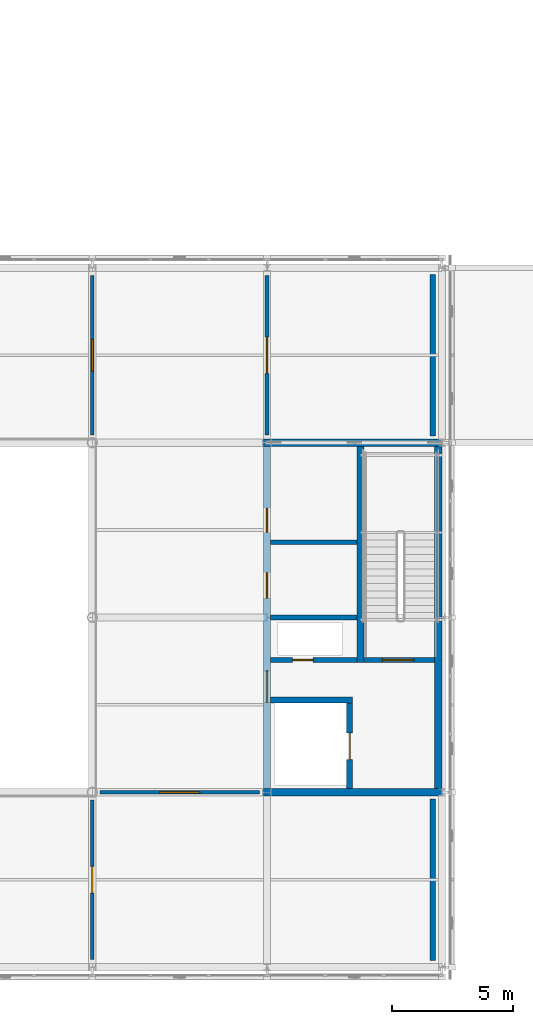
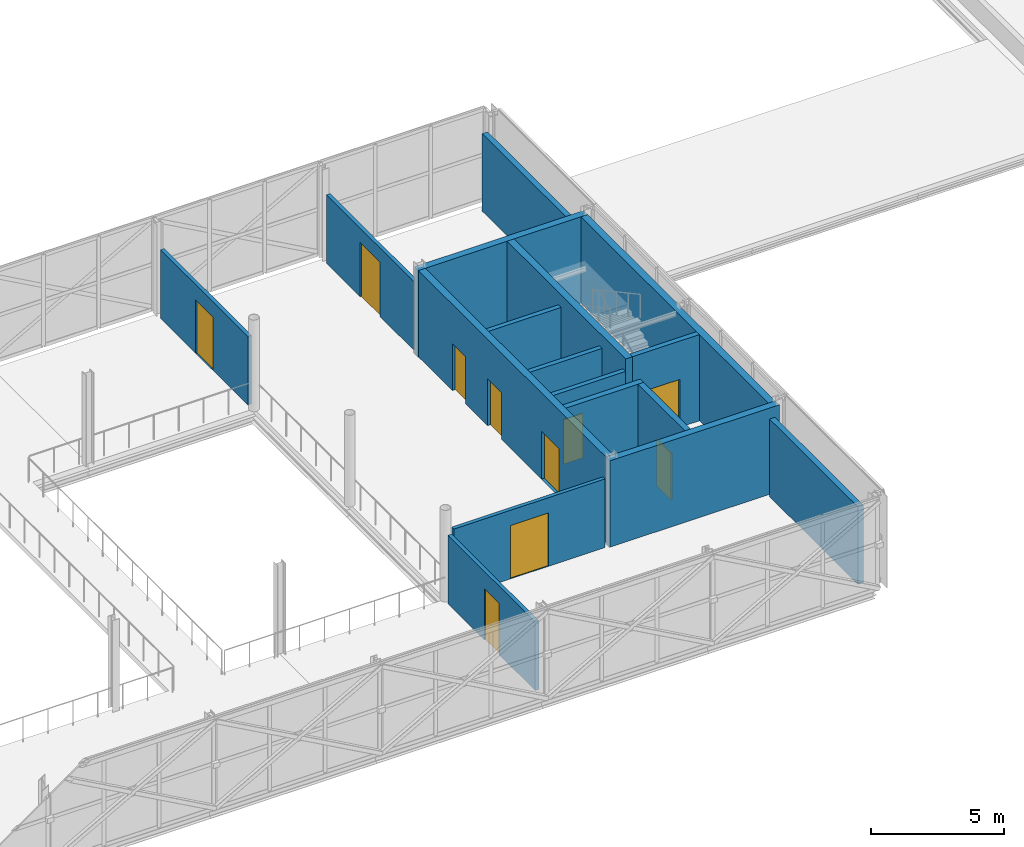
# One storey, part 87 of 103: 17 walls, 10 doors, 10 openings.
"""IFC4 building model written with IfcOpenShell, lengths in metres."""

from ifc_helpers import new_model, si_unit, direction, frame, frame_2d, origin, place, context, subcontext, project, spatial, rectangle, extrude, material, layer, layer_set, type_object, element, fill, save


model = new_model("IFC4")

# Units and contexts
model_context = context("Model", 3, precision=1e-05, world=origin(), true_north=direction((0.0, 1.0)))
body_context = subcontext(model_context, "Body", "Model", "MODEL_VIEW")
ifc_project = project(units=[si_unit("LENGTHUNIT", "METRE"), si_unit("AREAUNIT", "SQUARE_METRE"), si_unit("VOLUMEUNIT", "CUBIC_METRE"), si_unit("PLANEANGLEUNIT", "RADIAN"), si_unit("MASSUNIT", "GRAM", prefix="KILO")], contexts=[model_context])

# Site, building, storey
site_placement = place(None, origin())
site = spatial("IfcSite", under=ifc_project, at=site_placement, CompositionType="ELEMENT")
building_placement = place(site_placement, origin())
building = spatial("IfcBuilding", under=site, at=building_placement, Name="Zlatovets Crest Museum", CompositionType="ELEMENT")
storey_placement = place(building_placement, frame((0.0, 0.0, 12.89990234375)))
storey = spatial("IfcBuildingStorey", under=building, at=storey_placement, Name="L03", CompositionType="ELEMENT", Elevation=12.89990234375)

# Walls
ifc_material_1 = material(Name="Concrete C35/45", Category="concrete")
ifc_layer_1 = layer(ifc_material_1, 0.300048828125)
ifc_layer_set_1 = layer_set([ifc_layer_1], Name="Concrete C35/45")
wall_type_1 = type_object("IfcWallType", Name="CoreWall_SW01", PredefinedType="SHEAR", material=ifc_layer_set_1)
for number, where, z_axis, x_axis, name in (
    (1, (100.64990234375, 7.199951171875, 0.0), (0.0, 0.0, 1.0), (1.0, 0.0, 0.0), "Core C8 L03 South Shear Wall"),
    (2, (100.64990234375, 21.60009765625, 0.0), (0.0, 0.0, 1.0), (1.0, 0.0, 0.0), "Core C8 L03 North Shear Wall"),
):
    element("IfcWall", number, at=place(storey_placement, frame(where, z_axis=z_axis, x_axis=x_axis)), inside=storey, type_object=wall_type_1, Name=name, PredefinedType="SHEAR", context=body_context, shape_type="SweptSolid", body=[
        extrude(rectangle(XDim=7.35009765625, YDim=0.300048828125, at=frame_2d((3.675048828125, 0.0))), origin(), (0.0, 0.0, 1.0), 3.960205078125),
    ])
wall_1_placement = place(storey_placement, frame((107.85009765625, 7.35009765625, 0.0), z_axis=(0.0, 0.0, 1.0), x_axis=(0.0, 1.0, 0.0)))
element("IfcWall", 3, at=wall_1_placement, inside=storey, type_object=wall_type_1, Name="Core C8 L03 Perimeter Shear Wall", PredefinedType="SHEAR", context=body_context, shape_type="SweptSolid", body=[
    extrude(rectangle(XDim=14.099853515625, YDim=0.300048828125, at=frame_2d((7.0498046875, 0.0))), origin(), (0.0, 0.0, 1.0), 3.960205078125),
])

# Wall, openings, doors
wall_2_placement = place(storey_placement, frame((100.800048828125, 7.35009765625, 0.0), z_axis=(0.0, 0.0, 1.0), x_axis=(0.0, 1.0, 0.0)))
wall_2 = element("IfcWall", 4, at=wall_2_placement, inside=storey, type_object=wall_type_1, Name="Core C8 L03 Spine Shear Wall", PredefinedType="SHEAR", context=body_context, shape_type="SweptSolid", body=[
    extrude(rectangle(XDim=14.099853515625, YDim=0.300048828125, at=frame_2d((7.0498046875, 0.0))), origin(), (0.0, 0.0, 1.0), 3.960205078125),
])
opening_1_placement = place(wall_2_placement, frame((3.550048828125, 0.0, 0.0)))
opening_1 = element("IfcOpeningElement", 5, at=opening_1_placement, cuts=wall_2, Name="Opening FD-01", PredefinedType="OPENING", context=body_context, shape_type="SweptSolid", body=[
    extrude(rectangle(XDim=1.300048828125, YDim=2.199951171875, at=frame_2d((0.64990234375, 1.10009765625))), frame((0.0, 0.16015625, 0.0), z_axis=(0.0, -1.0, 0.0), x_axis=(1.0, 0.0, 0.0)), (0.0, 0.0, 1.0), 0.320068359375),
])
opening_2_placement = place(wall_2_placement, frame((7.85009765625, 0.0, 0.0)))
opening_2 = element("IfcOpeningElement", 6, at=opening_2_placement, cuts=wall_2, Name="Opening ID-02", PredefinedType="OPENING", context=body_context, shape_type="SweptSolid", body=[
    extrude(rectangle(XDim=1.050048828125, YDim=2.14990234375, at=frame_2d((0.52490234375, 1.074951171875))), frame((0.0, 0.16015625, 0.0), z_axis=(0.0, -1.0, 0.0), x_axis=(1.0, 0.0, 0.0)), (0.0, 0.0, 1.0), 0.320068359375),
])
opening_3_placement = place(wall_2_placement, frame((10.550048828125, 0.0, 0.0)))
opening_3 = element("IfcOpeningElement", 7, at=opening_3_placement, cuts=wall_2, Name="Opening ID-01", PredefinedType="OPENING", context=body_context, shape_type="SweptSolid", body=[
    extrude(rectangle(XDim=1.0, YDim=2.14990234375, at=frame_2d((0.5, 1.074951171875))), frame((0.0, 0.16015625, 0.0), z_axis=(0.0, -1.0, 0.0), x_axis=(1.0, 0.0, 0.0)), (0.0, 0.0, 1.0), 0.320068359375),
])
ifc_material_2 = material(Name="Smoke-sealed steel fire door", Category="steel")
door_type_1 = type_object("IfcDoorType", Name="IntDoor_FD-01", OperationType="NOTDEFINED", PredefinedType="DOOR", material=ifc_material_2)
door_1_placement = place(opening_1_placement, origin())
door_1 = element("IfcDoor", 8, at=door_1_placement, inside=storey, type_object=door_type_1, Name="CDOOR-C8-L03-LOB Core C8 L03 Lobby Fire Door", OperationType="SINGLE_SWING_LEFT", OverallHeight=2.199951171875, OverallWidth=1.300048828125, PredefinedType="DOOR", context=body_context, shape_type="SweptSolid", body=[
    extrude(rectangle(XDim=1.300048828125, YDim=2.199951171875, at=frame_2d((0.64990234375, 1.10009765625))), frame((0.0, 0.02490234375, 0.0), z_axis=(0.0, -1.0, 0.0), x_axis=(1.0, 0.0, 0.0)), (0.0, 0.0, 1.0), 0.050048828125),
])
fill(opening_1, door_1)
ifc_material_3 = material(Name="Solid oak museum room door")
door_type_2 = type_object("IfcDoorType", Name="IntDoor_ID-01", OperationType="NOTDEFINED", PredefinedType="DOOR", material=ifc_material_3)
door_2_placement = place(opening_3_placement, origin())
door_2 = element("IfcDoor", 9, at=door_2_placement, inside=storey, type_object=door_type_2, Name="CDOOR-C8-L03-WC Core C8 L03 Public Restroom Door", OperationType="SINGLE_SWING_RIGHT", OverallHeight=2.14990234375, OverallWidth=1.0, PredefinedType="DOOR", context=body_context, shape_type="SweptSolid", body=[
    extrude(rectangle(XDim=1.0, YDim=2.14990234375, at=frame_2d((0.5, 1.074951171875))), frame((0.0, 0.02490234375, 0.0), z_axis=(0.0, -1.0, 0.0), x_axis=(1.0, 0.0, 0.0)), (0.0, 0.0, 1.0), 0.050048828125),
])
fill(opening_3, door_2)
ifc_material_4 = material(Name="Accessible sanitary room door")
door_type_3 = type_object("IfcDoorType", Name="IntDoor_ID-02", OperationType="NOTDEFINED", PredefinedType="DOOR", material=ifc_material_4)
door_3_placement = place(opening_2_placement, origin())
door_3 = element("IfcDoor", 10, at=door_3_placement, inside=storey, type_object=door_type_3, Name="CDOOR-C8-L03-AWC Core C8 L03 Accessible WC Door", OperationType="SINGLE_SWING_LEFT", OverallHeight=2.14990234375, OverallWidth=1.050048828125, PredefinedType="DOOR", context=body_context, shape_type="SweptSolid", body=[
    extrude(rectangle(XDim=1.050048828125, YDim=2.14990234375, at=frame_2d((0.52490234375, 1.074951171875))), frame((0.0, 0.02490234375, 0.0), z_axis=(0.0, -1.0, 0.0), x_axis=(1.0, 0.0, 0.0)), (0.0, 0.0, 1.0), 0.050048828125),
])
fill(opening_2, door_3)

# Wall
wall_3_placement = place(storey_placement, frame((104.64990234375, 12.5400390625, 0.0), z_axis=(0.0, 0.0, 1.0), x_axis=(0.0, 1.0, 0.0)))
element("IfcWall", 11, at=wall_3_placement, inside=storey, type_object=wall_type_1, Name="Core C8 L03 Stair Divider Wall", PredefinedType="SHEAR", context=body_context, shape_type="SweptSolid", body=[
    extrude(rectangle(XDim=8.909912109375, YDim=0.300048828125, at=frame_2d((4.455078125, 0.0))), origin(), (0.0, 0.0, 1.0), 3.960205078125),
])

# Wall, opening, door
ifc_layer_2 = layer(ifc_material_1, 0.25)
ifc_layer_set_2 = layer_set([ifc_layer_2], Name="Concrete C35/45")
wall_type_2 = type_object("IfcWallType", Name="CoreWall_SW02", PredefinedType="SHEAR", material=ifc_layer_set_2)
wall_4_placement = place(storey_placement, frame((104.199951171875, 7.35009765625, 0.0), z_axis=(0.0, 0.0, 1.0), x_axis=(0.0, 1.0, 0.0)))
wall_4 = element("IfcWall", 12, at=wall_4_placement, inside=storey, type_object=wall_type_2, Name="Core C8 L03 Lift Shaft Wall", PredefinedType="SHEAR", context=body_context, shape_type="SweptSolid", body=[
    extrude(rectangle(XDim=3.52490234375, YDim=0.25, at=frame_2d((1.762451171875, 0.0))), origin(), (0.0, 0.0, 1.0), 3.960205078125),
])
opening_4_placement = place(wall_4_placement, frame((1.199951171875, 0.0, 0.0)))
opening_4 = element("IfcOpeningElement", 13, at=opening_4_placement, cuts=wall_4, Name="Opening LD-01", PredefinedType="OPENING", context=body_context, shape_type="SweptSolid", body=[
    extrude(rectangle(XDim=1.10009765625, YDim=2.14990234375, at=frame_2d((0.550048828125, 1.074951171875))), frame((0.0, 0.135009765625, 0.0), z_axis=(0.0, -1.0, 0.0), x_axis=(1.0, 0.0, 0.0)), (0.0, 0.0, 1.0), 0.27001953125),
])
ifc_material_5 = material(Name="Stainless-bronze sliding lift landing door")
door_type_4 = type_object("IfcDoorType", Name="IntDoor_LD-01", OperationType="SLIDING_TO_LEFT", PredefinedType="DOOR", material=ifc_material_5)
door_4_placement = place(opening_4_placement, origin())
door_4 = element("IfcDoor", 14, at=door_4_placement, inside=storey, type_object=door_type_4, Name="LDOOR-PL5-L03 Lift PL5 L03 Sliding Landing Door", OperationType="SLIDING_TO_LEFT", OverallHeight=2.14990234375, OverallWidth=1.10009765625, PredefinedType="DOOR", context=body_context, shape_type="SweptSolid", body=[
    extrude(rectangle(XDim=1.10009765625, YDim=2.14990234375, at=frame_2d((0.550048828125, 1.074951171875))), frame((0.0, 0.02490234375, 0.0), z_axis=(0.0, -1.0, 0.0), x_axis=(1.0, 0.0, 0.0)), (0.0, 0.0, 1.0), 0.050048828125),
])
fill(opening_4, door_4)

wall_5_placement = place(storey_placement, frame((104.800048828125, 12.64990234375, 0.0), z_axis=(0.0, 0.0, 1.0), x_axis=(1.0, 0.0, 0.0)))
wall_5 = element("IfcWall", 15, at=wall_5_placement, inside=storey, type_object=wall_type_2, Name="Core C8 L03 Stairwell Fire Wall", PredefinedType="SHEAR", context=body_context, shape_type="SweptSolid", body=[
    extrude(rectangle(XDim=2.89990234375, YDim=0.219970703125, at=frame_2d((1.449951171875, 0.0))), origin(), (0.0, 0.0, 1.0), 3.960205078125),
])
opening_5_placement = place(wall_5_placement, frame((0.75, 0.0, 0.0)))
opening_5 = element("IfcOpeningElement", 16, at=opening_5_placement, cuts=wall_5, Name="Opening FD-01", PredefinedType="OPENING", context=body_context, shape_type="SweptSolid", body=[
    extrude(rectangle(XDim=1.300048828125, YDim=2.199951171875, at=frame_2d((0.64990234375, 1.10009765625))), frame((0.0, 0.1201171875, 0.0), z_axis=(0.0, -1.0, 0.0), x_axis=(1.0, 0.0, 0.0)), (0.0, 0.0, 1.0), 0.239990234375),
])
door_5_placement = place(opening_5_placement, origin())
door_5 = element("IfcDoor", 17, at=door_5_placement, inside=storey, type_object=door_type_1, Name="SDOOR-ST9-L03 Stair ST9 L03 Fire Door", OperationType="SINGLE_SWING_LEFT", OverallHeight=2.199951171875, OverallWidth=1.300048828125, PredefinedType="DOOR", context=body_context, shape_type="SweptSolid", body=[
    extrude(rectangle(XDim=1.300048828125, YDim=2.199951171875, at=frame_2d((0.64990234375, 1.10009765625))), frame((0.0, 0.02490234375, 0.0), z_axis=(0.0, -1.0, 0.0), x_axis=(1.0, 0.0, 0.0)), (0.0, 0.0, 1.0), 0.050048828125),
])
fill(opening_5, door_5)

# Walls
wall_6_placement = place(storey_placement, frame((100.949951171875, 11.0, 0.0), z_axis=(0.0, 0.0, 1.0), x_axis=(1.0, 0.0, 0.0)))
element("IfcWall", 18, at=wall_6_placement, inside=storey, type_object=wall_type_2, Name="Core C8 L03 Lift Shaft North Shear Wall", PredefinedType="SHEAR", context=body_context, shape_type="SweptSolid", body=[
    extrude(rectangle(XDim=3.375, YDim=0.25, at=frame_2d((1.6875, 0.0))), origin(), (0.0, 0.0, 1.0), 3.960205078125),
])
ifc_material_6 = material(Name="Insulated gallery conservation liner wall", Category="concrete")
ifc_layer_3 = layer(ifc_material_6, 0.300048828125)
ifc_layer_set_3 = layer_set([ifc_layer_3], Name="Insulated gallery conservation liner wall")
wall_type_3 = type_object("IfcWallType", Name="ExtWall_EW-02", PredefinedType="STANDARD", material=ifc_layer_set_3)
wall_7_placement = place(storey_placement, frame((107.6201171875, 0.280029296875, 0.0), z_axis=(0.0, 0.0, 1.0), x_axis=(0.0, 1.0, 0.0)))
element("IfcWall", 19, at=wall_7_placement, inside=storey, type_object=wall_type_3, Name="V2 L03 Interior Conservation Gallery Liner Wall", PredefinedType="STANDARD", context=body_context, shape_type="SweptSolid", body=[
    extrude(rectangle(XDim=6.639892578125, YDim=0.239990234375, at=frame_2d((3.31982421875, 0.0))), origin(), (0.0, 0.0, 1.0), 3.56005859375),
])
wall_8_placement = place(storey_placement, frame((107.6201171875, 21.8798828125, 0.0), z_axis=(0.0, 0.0, 1.0), x_axis=(0.0, 1.0, 0.0)))
element("IfcWall", 20, at=wall_8_placement, inside=storey, type_object=wall_type_3, Name="V2 L03 Interior Conservation Gallery Liner Wall", PredefinedType="STANDARD", context=body_context, shape_type="SweptSolid", body=[
    extrude(rectangle(XDim=6.64013671875, YDim=0.239990234375, at=frame_2d((3.320068359375, 0.0))), origin(), (0.0, 0.0, 1.0), 3.56005859375),
])

# Wall, opening, door
ifc_material_7 = material(Name="Acoustic museum gallery stud partition")
ifc_layer_4 = layer(ifc_material_7, 0.159912109375)
ifc_layer_set_4 = layer_set([ifc_layer_4], Name="Acoustic museum gallery stud partition")
wall_type_4 = type_object("IfcWallType", Name="PartWall_PT-02", PredefinedType="PARTITIONING", material=ifc_layer_set_4)
wall_9_placement = place(storey_placement, frame((93.60009765625, 0.320068359375, 0.0), z_axis=(0.0, 0.0, 1.0), x_axis=(0.0, 1.0, 0.0)))
wall_9 = element("IfcWall", 21, at=wall_9_placement, inside=storey, type_object=wall_type_4, Name="V2 L03 Interior Partition PT-02", PredefinedType="PARTITIONING", context=body_context, shape_type="SweptSolid", body=[
    extrude(rectangle(XDim=6.559814453125, YDim=0.159912109375, at=frame_2d((3.27978515625, 0.0))), origin(), (0.0, 0.0, 1.0), 3.150146484375),
])
opening_6_placement = place(wall_9_placement, frame((2.72998046875, 0.0, 0.0)))
opening_6 = element("IfcOpeningElement", 22, at=opening_6_placement, cuts=wall_9, Name="Opening ID-19", PredefinedType="OPENING", context=body_context, shape_type="SweptSolid", body=[
    extrude(rectangle(XDim=1.10009765625, YDim=2.35009765625, at=frame_2d((0.550048828125, 1.175048828125))), frame((0.0, 0.08984375, 0.0), z_axis=(0.0, -1.0, 0.0), x_axis=(1.0, 0.0, 0.0)), (0.0, 0.0, 1.0), 0.179931640625),
])
ifc_material_8 = material(Name="Library study glazed door")
door_type_5 = type_object("IfcDoorType", Name="IntDoor_ID-19", OperationType="NOTDEFINED", PredefinedType="DOOR", material=ifc_material_8)
door_6_placement = place(opening_6_placement, origin())
door_6 = element("IfcDoor", 23, at=door_6_placement, inside=storey, type_object=door_type_5, Name="IDOOR-V2-L03-0191 Numismatic Cabinet to Conservation Framing Room Door", OperationType="SINGLE_SWING_RIGHT", OverallHeight=2.35009765625, OverallWidth=1.10009765625, PredefinedType="DOOR", context=body_context, shape_type="SweptSolid", body=[
    extrude(rectangle(XDim=1.10009765625, YDim=2.35009765625, at=frame_2d((0.550048828125, 1.175048828125))), frame((0.0, 0.02490234375, 0.0), z_axis=(0.0, -1.0, 0.0), x_axis=(1.0, 0.0, 0.0)), (0.0, 0.0, 1.0), 0.050048828125),
])
fill(opening_6, door_6)

wall_10_placement = place(storey_placement, frame((93.60009765625, 21.919921875, 0.0), z_axis=(0.0, 0.0, 1.0), x_axis=(0.0, 1.0, 0.0)))
wall_10 = element("IfcWall", 24, at=wall_10_placement, inside=storey, type_object=wall_type_4, Name="V2 L03 Interior Partition PT-02", PredefinedType="PARTITIONING", context=body_context, shape_type="SweptSolid", body=[
    extrude(rectangle(XDim=6.56005859375, YDim=0.159912109375, at=frame_2d((3.280029296875, 0.0))), origin(), (0.0, 0.0, 1.0), 3.150146484375),
])
opening_7_placement = place(wall_10_placement, frame((2.6298828125, 0.0, 0.0)))
opening_7 = element("IfcOpeningElement", 25, at=opening_7_placement, cuts=wall_10, Name="Opening ID-21", PredefinedType="OPENING", context=body_context, shape_type="SweptSolid", body=[
    extrude(rectangle(XDim=1.300048828125, YDim=2.449951171875, at=frame_2d((0.64990234375, 1.22509765625))), frame((0.0, 0.08984375, 0.0), z_axis=(0.0, -1.0, 0.0), x_axis=(1.0, 0.0, 0.0)), (0.0, 0.0, 1.0), 0.179931640625),
])
ifc_material_9 = material(Name="Restoration studio tall door")
door_type_6 = type_object("IfcDoorType", Name="IntDoor_ID-21", OperationType="NOTDEFINED", PredefinedType="DOOR", material=ifc_material_9)
door_7_placement = place(opening_7_placement, origin())
door_7 = element("IfcDoor", 26, at=door_7_placement, inside=storey, type_object=door_type_6, Name="IDOOR-V2-L03-0193 Atrium Upper Promenade to Balkan Iconography Gallery Door", OperationType="SINGLE_SWING_RIGHT", OverallHeight=2.449951171875, OverallWidth=1.300048828125, PredefinedType="DOOR", context=body_context, shape_type="SweptSolid", body=[
    extrude(rectangle(XDim=1.300048828125, YDim=2.449951171875, at=frame_2d((0.64990234375, 1.22509765625))), frame((0.0, 0.02490234375, 0.0), z_axis=(0.0, -1.0, 0.0), x_axis=(1.0, 0.0, 0.0)), (0.0, 0.0, 1.0), 0.050048828125),
])
fill(opening_7, door_7)

wall_11_placement = place(storey_placement, frame((100.800048828125, 21.919921875, 0.0), z_axis=(0.0, 0.0, 1.0), x_axis=(0.0, 1.0, 0.0)))
wall_11 = element("IfcWall", 27, at=wall_11_placement, inside=storey, type_object=wall_type_4, Name="V2 L03 Interior Partition PT-02", PredefinedType="PARTITIONING", context=body_context, shape_type="SweptSolid", body=[
    extrude(rectangle(XDim=6.56005859375, YDim=0.159912109375, at=frame_2d((3.280029296875, 0.0))), origin(), (0.0, 0.0, 1.0), 3.150146484375),
])
opening_8_placement = place(wall_11_placement, frame((2.530029296875, 0.0, 0.0)))
opening_8 = element("IfcOpeningElement", 28, at=opening_8_placement, cuts=wall_11, Name="Opening ID-23", PredefinedType="OPENING", context=body_context, shape_type="SweptSolid", body=[
    extrude(rectangle(XDim=1.5, YDim=2.5, at=frame_2d((0.75, 1.25))), frame((0.0, 0.08984375, 0.0), z_axis=(0.0, -1.0, 0.0), x_axis=(1.0, 0.0, 0.0)), (0.0, 0.0, 1.0), 0.179931640625),
])
ifc_material_10 = material(Name="Foyer vestibule double door")
door_type_7 = type_object("IfcDoorType", Name="IntDoor_ID-23", OperationType="DOUBLE_DOOR_SINGLE_SWING", PredefinedType="DOOR", material=ifc_material_10)
door_8_placement = place(opening_8_placement, origin())
door_8 = element("IfcDoor", 29, at=door_8_placement, inside=storey, type_object=door_type_7, Name="IDOOR-V2-L03-0195 Balkan Iconography Gallery to East Court Cabinet L03 Door", OperationType="DOUBLE_DOOR_SINGLE_SWING", OverallHeight=2.5, OverallWidth=1.5, PredefinedType="DOOR", context=body_context, shape_type="SweptSolid", body=[
    extrude(rectangle(XDim=1.5, YDim=2.5, at=frame_2d((0.75, 1.25))), frame((0.0, 0.02490234375, 0.0), z_axis=(0.0, -1.0, 0.0), x_axis=(1.0, 0.0, 0.0)), (0.0, 0.0, 1.0), 0.050048828125),
])
fill(opening_8, door_8)

wall_12_placement = place(storey_placement, frame((93.919921875, 7.199951171875, 0.0), z_axis=(0.0, 0.0, 1.0), x_axis=(1.0, 0.0, 0.0)))
wall_12 = element("IfcWall", 30, at=wall_12_placement, inside=storey, type_object=wall_type_4, Name="V2 L03 Interior Partition PT-02", PredefinedType="PARTITIONING", context=body_context, shape_type="SweptSolid", body=[
    extrude(rectangle(XDim=6.56005859375, YDim=0.159912109375, at=frame_2d((3.280029296875, 0.0))), origin(), (0.0, 0.0, 1.0), 3.150146484375),
])
opening_9_placement = place(wall_12_placement, frame((2.455078125, 0.0, 0.0)))
opening_9 = element("IfcOpeningElement", 31, at=opening_9_placement, cuts=wall_12, Name="Opening ID-24", PredefinedType="OPENING", context=body_context, shape_type="SweptSolid", body=[
    extrude(rectangle(XDim=1.64990234375, YDim=2.449951171875, at=frame_2d((0.824951171875, 1.22509765625))), frame((0.0, 0.08984375, 0.0), z_axis=(0.0, -1.0, 0.0), x_axis=(1.0, 0.0, 0.0)), (0.0, 0.0, 1.0), 0.179931640625),
])
ifc_material_11 = material(Name="Mineralogy salon double door")
door_type_8 = type_object("IfcDoorType", Name="IntDoor_ID-24", OperationType="DOUBLE_DOOR_SINGLE_SWING", PredefinedType="DOOR", material=ifc_material_11)
door_9_placement = place(opening_9_placement, origin())
door_9 = element("IfcDoor", 32, at=door_9_placement, inside=storey, type_object=door_type_8, Name="IDOOR-V2-L03-0196 Balkan Iconography Gallery to Conservation Framing Room Door", OperationType="DOUBLE_DOOR_SINGLE_SWING", OverallHeight=2.449951171875, OverallWidth=1.64990234375, PredefinedType="DOOR", context=body_context, shape_type="SweptSolid", body=[
    extrude(rectangle(XDim=1.64990234375, YDim=2.449951171875, at=frame_2d((0.824951171875, 1.22509765625))), frame((0.0, 0.02490234375, 0.0), z_axis=(0.0, -1.0, 0.0), x_axis=(1.0, 0.0, 0.0)), (0.0, 0.0, 1.0), 0.050048828125),
])
fill(opening_9, door_9)

ifc_material_12 = material(Name="Sanitary core acoustic service wall")
ifc_layer_5 = layer(ifc_material_12, 0.219970703125)
ifc_layer_set_5 = layer_set([ifc_layer_5], Name="Sanitary core acoustic service wall")
wall_type_5 = type_object("IfcWallType", Name="PartWall_PT-04", PredefinedType="PLUMBINGWALL", material=ifc_layer_set_5)
wall_13_placement = place(storey_placement, frame((100.949951171875, 12.64990234375, 0.0), z_axis=(0.0, 0.0, 1.0), x_axis=(1.0, 0.0, 0.0)))
wall_13 = element("IfcWall", 33, at=wall_13_placement, inside=storey, type_object=wall_type_5, Name="Core C8 L03 Riser Lobby Wall", PredefinedType="PLUMBINGWALL", context=body_context, shape_type="SweptSolid", body=[
    extrude(rectangle(XDim=3.550048828125, YDim=0.199951171875, at=frame_2d((1.77490234375, 0.0))), origin(), (0.0, 0.0, 1.0), 3.380126953125),
])
opening_10_placement = place(wall_13_placement, frame((0.89990234375, 0.0, 0.0)))
opening_10 = element("IfcOpeningElement", 34, at=opening_10_placement, cuts=wall_13, Name="Opening FD-03", PredefinedType="OPENING", context=body_context, shape_type="SweptSolid", body=[
    extrude(rectangle(XDim=0.85009765625, YDim=2.050048828125, at=frame_2d((0.425048828125, 1.02490234375))), frame((0.0, 0.10986328125, 0.0), z_axis=(0.0, -1.0, 0.0), x_axis=(1.0, 0.0, 0.0)), (0.0, 0.0, 1.0), 0.219970703125),
])
ifc_material_13 = material(Name="Steel riser shaft access fire door", Category="steel")
door_type_9 = type_object("IfcDoorType", Name="IntDoor_FD-03", OperationType="NOTDEFINED", PredefinedType="TRAPDOOR", material=ifc_material_13)
door_10_placement = place(opening_10_placement, origin())
door_10 = element("IfcDoor", 35, at=door_10_placement, inside=storey, type_object=door_type_9, Name="CDOOR-C8-L03-RIS Core C8 L03 Riser Access Door", OperationType="SINGLE_SWING_RIGHT", OverallHeight=2.050048828125, OverallWidth=0.85009765625, PredefinedType="TRAPDOOR", context=body_context, shape_type="SweptSolid", body=[
    extrude(rectangle(XDim=0.85009765625, YDim=2.050048828125, at=frame_2d((0.425048828125, 1.02490234375))), frame((0.0, 0.02490234375, 0.0), z_axis=(0.0, -1.0, 0.0), x_axis=(1.0, 0.0, 0.0)), (0.0, 0.0, 1.0), 0.050048828125),
])
fill(opening_10, door_10)

# Walls
for number, where, z_axis, x_axis, name in (
    (36, (100.949951171875, 14.39990234375, 0.0), (0.0, 0.0, 1.0), (1.0, 0.0, 0.0), "Core C8 L03 Sanitary Divider"),
    (37, (100.949951171875, 17.5, 0.0), (0.0, 0.0, 1.0), (1.0, 0.0, 0.0), "Core C8 L03 Sanitary Divider"),
):
    element("IfcWall", number, at=place(storey_placement, frame(where, z_axis=z_axis, x_axis=x_axis)), inside=storey, type_object=wall_type_5, Name=name, PredefinedType="PLUMBINGWALL", context=body_context, shape_type="SweptSolid", body=[
        extrude(rectangle(XDim=3.550048828125, YDim=0.199951171875, at=frame_2d((1.77490234375, 0.0))), origin(), (0.0, 0.0, 1.0), 3.380126953125),
    ])

save(model, "model.ifc")
